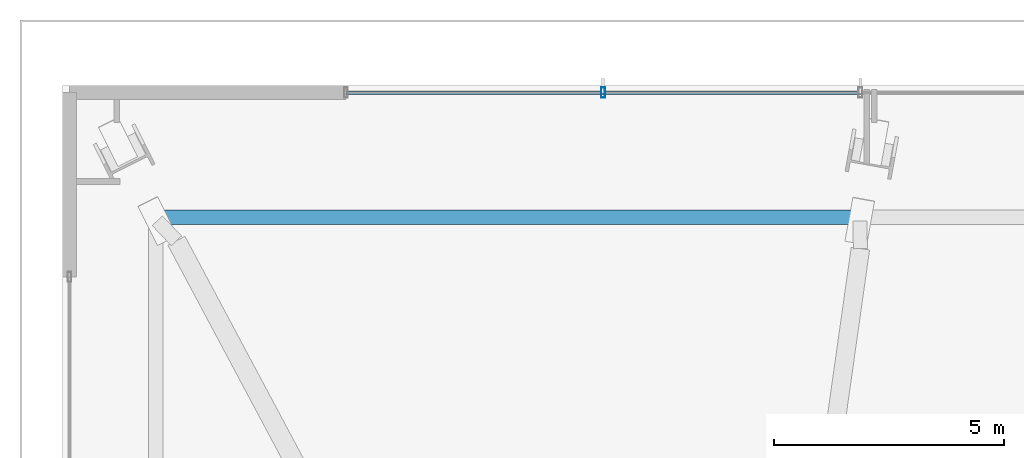
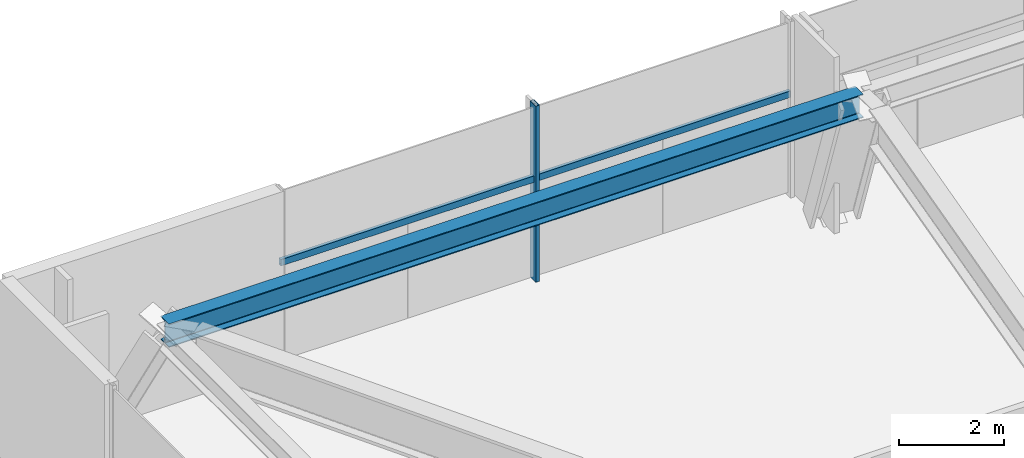
# One storey, part 10 of 30: 3 members, 1 beam, 1 element without a shape of its own.
"""IFC4 building model written with IfcOpenShell, lengths in metres."""

from ifc_helpers import new_model, si_unit, direction, frame, origin, origin_2d, place, context, subcontext, project, spatial, hollow_rectangle, i_section, extrude, source, transform, mapped, material, material_profile, profile_set, type_object, type_shapes, element, aggregate, save


model = new_model("IFC4")

# Units and contexts
model_context = context("Model", 3, precision=1e-05, world=origin(), true_north=direction((0.0, 1.0)))
body_context = subcontext(model_context, "Body", "Model", "MODEL_VIEW")
ifc_project = project(units=[si_unit("LENGTHUNIT", "METRE"), si_unit("AREAUNIT", "SQUARE_METRE"), si_unit("VOLUMEUNIT", "CUBIC_METRE"), si_unit("PLANEANGLEUNIT", "RADIAN"), si_unit("MASSUNIT", "GRAM", prefix="KILO")], contexts=[model_context])

# Site, building, storey
site_placement = place(None, origin())
site = spatial("IfcSite", under=ifc_project, at=site_placement, CompositionType="ELEMENT")
building_placement = place(site_placement, origin())
building = spatial("IfcBuilding", under=site, at=building_placement, Name="Astriad Promenade Condominiums", CompositionType="ELEMENT")
storey_placement = place(building_placement, frame((0.0, 0.0, 14.0)))
storey = spatial("IfcBuildingStorey", under=building, at=storey_placement, Name="L03", CompositionType="ELEMENT", Elevation=14.0)

# Beam
ifc_material_1 = material(Name="Steel ASTM A992 Grade 50", Category="steel")
ifc_material_profile_1 = material_profile(ifc_material_1, i_section(OverallWidth=0.3134765625, OverallDepth=0.54638671875, WebThickness=0.013916015625, FlangeThickness=0.022216796875, FilletRadius=0.0166015625, at=origin_2d()), Name="W21X111")
ifc_profile_set_1 = profile_set([ifc_material_profile_1], Name="Steel ASTM A992 Grade 50")
beam_type = type_object("IfcBeamType", Name="STEEL SPANDREL BEAM W21X111", PredefinedType="SPANDREL", material=ifc_profile_set_1)
shared_shape_1 = source(origin(), body_context, "Body", "SweptSolid", [
    extrude(i_section(OverallWidth=0.3134765625, OverallDepth=0.54638671875, WebThickness=0.013916015625, FlangeThickness=0.022216796875, FilletRadius=0.0166015625, at=origin_2d()), origin(), (0.0, 0.0, 1.0), 15.2119140625),
])
type_shapes(beam_type, [shared_shape_1])
beam_placement = place(storey_placement, frame((20.771728515625, 30.140380859375, 3.806884765625), z_axis=(-1.0, 0.0, 0.0), x_axis=(0.0, -1.0, 0.0)))
element("IfcBeam", 1, at=beam_placement, inside=storey, type_object=beam_type, Name="Perimeter Spandrel Beam SP-N1-L03", PredefinedType="SPANDREL", context=body_context, shape_type="MappedRepresentation", body=[
    mapped(shared_shape_1, transform((0.0, 0.0, 0.0), scale=1.0)),
])

# Curtain wall, members
ifc_material_2 = material(Name="Anodised aluminium Black Dark Glass Unitised", Category="aluminium")
curtain_wall_type = type_object("IfcCurtainWallType", Name="CW-POD-DARK", PredefinedType="USERDEFINED", material=ifc_material_2)
curtain_wall_placement = place(storey_placement, origin())
curtain_wall = element("IfcCurtainWall", 2, at=curtain_wall_placement, inside=storey, type_object=curtain_wall_type, Name="CW-L03-N", ObjectType="UNITISED_CURTAIN_WALL", PredefinedType="USERDEFINED")
ifc_material_3 = material(Name="Anodised aluminium 6063-T6 Black", Category="aluminium")
ifc_material_profile_2 = material_profile(ifc_material_3, hollow_rectangle(XDim=0.0849609375, YDim=0.219970703125, WallThickness=0.0048828125, at=origin_2d()), Name="ALU-MUL-85X220")
ifc_profile_set_2 = profile_set([ifc_material_profile_2], Name="Anodised aluminium 6063-T6 Black")
member_type_1 = type_object("IfcMemberType", Name="MUL-ALU-MUL-85X220", PredefinedType="MULLION", material=ifc_profile_set_2)
shared_shape_2 = source(origin(), body_context, "Body", "SweptSolid", [
    extrude(hollow_rectangle(XDim=0.0849609375, YDim=0.219970703125, WallThickness=0.0048828125, at=origin_2d()), origin(), (0.0, 0.0, 1.0), 4.080078125),
])
type_shapes(member_type_1, [shared_shape_2])
member_1_placement = place(storey_placement, frame((15.22998046875, 32.85009765625, 0.0), z_axis=(0.0, 0.0, 1.0), x_axis=(1.0, 0.0, 0.0)))
member_1 = element("IfcMember", 3, at=member_1_placement, type_object=member_type_1, Name="CW-L03-N-MUL-01", PredefinedType="MULLION", context=body_context, shape_type="MappedRepresentation", body=[
    mapped(shared_shape_2, transform((0.0, 0.0, 0.0), scale=1.0)),
])
ifc_material_profile_3 = material_profile(ifc_material_3, hollow_rectangle(XDim=0.074951171875, YDim=0.14990234375, WallThickness=0.004150390625, at=origin_2d()), Name="ALU-TRN-75X150")
ifc_profile_set_3 = profile_set([ifc_material_profile_3], Name="Anodised aluminium 6063-T6 Black")
member_type_2 = type_object("IfcMemberType", Name="TRN-ALU-TRN-75X150", PredefinedType="USERDEFINED", material=ifc_profile_set_3)
shared_shape_3 = source(origin(), body_context, "Body", "SweptSolid", [
    extrude(hollow_rectangle(XDim=0.074951171875, YDim=0.14990234375, WallThickness=0.004150390625, at=origin_2d()), origin(), (0.0, 0.0, 1.0), 5.580078125),
])
type_shapes(member_type_2, [shared_shape_3])
member_2_placement = place(storey_placement, frame((9.64990234375, 32.85009765625, 2.35009765625), z_axis=(1.0, 0.0, 0.0), x_axis=(0.0, 1.0, 0.0)))
member_2 = element("IfcMember", 4, at=member_2_placement, type_object=member_type_2, Name="CW-L03-N-TRN-00-0", ObjectType="TRANSOM", PredefinedType="USERDEFINED", context=body_context, shape_type="MappedRepresentation", body=[
    mapped(shared_shape_3, transform((0.0, 0.0, 0.0), scale=1.0)),
])
member_3_placement = place(storey_placement, frame((15.22998046875, 32.85009765625, 2.35009765625), z_axis=(1.0, 0.0, 0.0), x_axis=(0.0, 1.0, 0.0)))
member_3 = element("IfcMember", 5, at=member_3_placement, type_object=member_type_2, Name="CW-L03-N-TRN-01-0", ObjectType="TRANSOM", PredefinedType="USERDEFINED", context=body_context, shape_type="MappedRepresentation", body=[
    mapped(shared_shape_3, transform((0.0, 0.0, 0.0), scale=1.0)),
])
aggregate(curtain_wall, [member_1, member_2, member_3])

save(model, "model.ifc")
